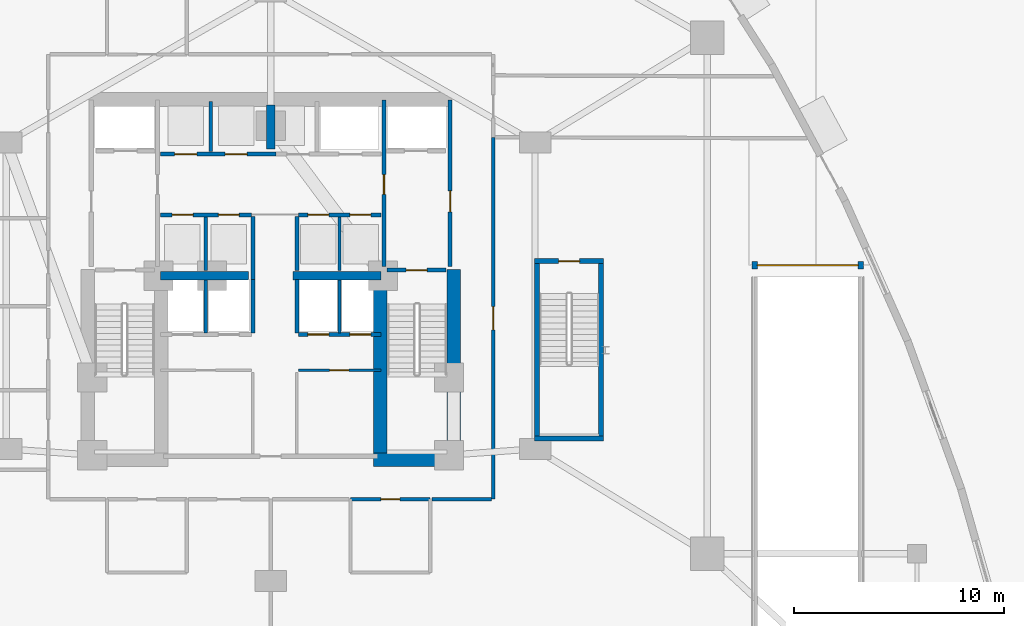
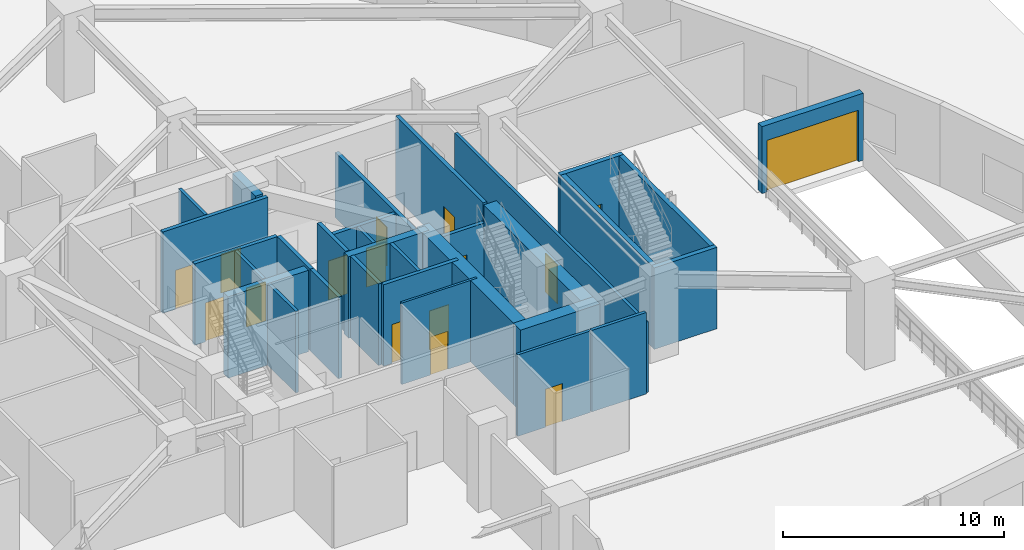
# One storey, part 24 of 32: 31 walls, 16 doors, 16 openings.
"""IFC4 building model written with IfcOpenShell, lengths in metres."""

from ifc_helpers import new_model, si_unit, direction, frame, frame_2d, origin, place, context, subcontext, project, spatial, rectangle, extrude, material, layer, layer_set, type_object, element, fill, save


model = new_model("IFC4")

# Units and contexts
model_context = context("Model", 3, precision=1e-05, world=origin(), true_north=direction((0.0, 1.0)))
body_context = subcontext(model_context, "Body", "Model", "MODEL_VIEW")
ifc_project = project(units=[si_unit("LENGTHUNIT", "METRE"), si_unit("AREAUNIT", "SQUARE_METRE"), si_unit("VOLUMEUNIT", "CUBIC_METRE"), si_unit("PLANEANGLEUNIT", "RADIAN"), si_unit("MASSUNIT", "GRAM", prefix="KILO")], contexts=[model_context])

# Site, building, storey
site_placement = place(None, origin())
site = spatial("IfcSite", under=ifc_project, at=site_placement, CompositionType="ELEMENT")
building_placement = place(site_placement, origin())
building = spatial("IfcBuilding", under=site, at=building_placement, Name="Miruveldt Soraemaru", CompositionType="ELEMENT")
storey_placement = place(building_placement, origin())
storey = spatial("IfcBuildingStorey", under=building, at=storey_placement, Name="L01", CompositionType="ELEMENT", Elevation=0.0)

# Walls
ifc_material_1 = material(Name="Concrete C70/85 (70 MPa)", Category="concrete")
ifc_layer_1 = layer(ifc_material_1, 0.5, Name="Concrete C70/85 (70 MPa)", Category="concrete")
ifc_layer_set_1 = layer_set([ifc_layer_1], Name="Concrete C70/85 (70 MPa)")
wall_type_1 = type_object("IfcWallType", Name="WALL-BW-500", PredefinedType="SHEAR", material=ifc_layer_set_1)
wall_1_placement = place(storey_placement, frame((44.0, 50.10009765625, 0.0), z_axis=(0.0, 0.0, 1.0), x_axis=(0.0, 1.0, 0.0)))
element("IfcWall", 1, at=wall_1_placement, inside=storey, type_object=wall_type_1, Name="L01 Core Buttress Shear Wall BN", PredefinedType="SHEAR", context=body_context, shape_type="SweptSolid", body=[
    extrude(rectangle(XDim=2.099853515625, YDim=0.39990234375, at=frame_2d((1.0498046875, 0.0))), origin(), (0.0, 0.0, 1.0), 4.5),
])
for number, where, z_axis, x_axis, name in (
    (2, (38.75, 44.050048828125, 0.0), (0.0, 0.0, 1.0), (1.0, 0.0, 0.0), "L01 Core Buttress Shear Wall BW"),
    (3, (45.050048828125, 44.050048828125, 0.0), (0.0, 0.0, 1.0), (1.0, 0.0, 0.0), "L01 Core Buttress Shear Wall BE"),
):
    element("IfcWall", number, at=place(storey_placement, frame(where, z_axis=z_axis, x_axis=x_axis)), inside=storey, type_object=wall_type_1, Name=name, PredefinedType="SHEAR", context=body_context, shape_type="SweptSolid", body=[
        extrude(rectangle(XDim=4.199951171875, YDim=0.39990234375, at=frame_2d((2.10009765625, 0.0))), origin(), (0.0, 0.0, 1.0), 4.5),
    ])

# Wall, opening, door
ifc_material_2 = material(Name="Concrete C50/60 (50 MPa)", Category="concrete")
ifc_layer_2 = layer(ifc_material_2, 0.419921875, Name="Concrete C50/60 (50 MPa)", Category="concrete")
ifc_layer_set_2 = layer_set([ifc_layer_2], Name="Concrete C50/60 (50 MPa)")
wall_type_2 = type_object("IfcWallType", Name="WALL-CW-420", PredefinedType="SHEAR", material=ifc_layer_set_2)
wall_2_placement = place(storey_placement, frame((56.580078125, 44.75, 0.0), z_axis=(0.0, 0.0, 1.0), x_axis=(1.0, 0.0, 0.0)))
wall_2 = element("IfcWall", 4, at=wall_2_placement, inside=storey, type_object=wall_type_2, Name="L01 Podium Garden Feature Stair ST-4 Structural Shaft Wall N", PredefinedType="SHEAR", context=body_context, shape_type="SweptSolid", body=[
    extrude(rectangle(XDim=3.2900390625, YDim=0.239990234375, at=frame_2d((1.64501953125, 0.0))), origin(), (0.0, 0.0, 1.0), 4.5),
])
opening_1_placement = place(wall_2_placement, frame((1.14501953125, 0.0, 0.0)))
opening_1 = element("IfcOpeningElement", 5, at=opening_1_placement, cuts=wall_2, Name="Opening FD1", PredefinedType="OPENING", context=body_context, shape_type="SweptSolid", body=[
    extrude(rectangle(XDim=1.0, YDim=2.14990234375, at=frame_2d((0.5, 1.074951171875))), frame((0.0, 0.1298828125, 0.0), z_axis=(0.0, -1.0, 0.0), x_axis=(1.0, 0.0, 0.0)), (0.0, 0.0, 1.0), 0.260009765625),
])
ifc_material_3 = material(Name="Anodised aluminium EN AW-6063 T6", Category="aluminium")
door_type_1 = type_object("IfcDoorType", Name="DOOR-FD1-1000", OperationType="NOTDEFINED", PredefinedType="DOOR", material=ifc_material_3)
door_1_placement = place(opening_1_placement, frame((1.0, 0.0, 0.0), z_axis=(0.0, 0.0, 1.0), x_axis=(-1.0, 0.0, 0.0)))
door_1 = element("IfcDoor", 6, at=door_1_placement, inside=storey, type_object=door_type_1, Name="L01 Podium Garden Feature Stair ST-4 Fire Door", OperationType="SINGLE_SWING_LEFT", OverallHeight=2.14990234375, OverallWidth=1.0, PredefinedType="DOOR", context=body_context, shape_type="SweptSolid", body=[
    extrude(rectangle(XDim=1.0, YDim=2.14990234375, at=frame_2d((0.5, 1.074951171875))), frame((0.0, 0.02490234375, 0.0), z_axis=(0.0, -1.0, 0.0), x_axis=(1.0, 0.0, 0.0)), (0.0, 0.0, 1.0), 0.050048828125),
])
fill(opening_1, door_1)

# Walls
for number, where, z_axis, x_axis, name in (
    (7, (56.699951171875, 36.35009765625, 0.0), (0.0, 0.0, 1.0), (0.0, 1.0, 0.0), "L01 Podium Garden Feature Stair ST-4 Structural Shaft Wall W"),
    (8, (59.75, 36.35009765625, 0.0), (0.0, 0.0, 1.0), (0.0, 1.0, 0.0), "L01 Podium Garden Feature Stair ST-4 Structural Shaft Wall E"),
):
    element("IfcWall", number, at=place(storey_placement, frame(where, z_axis=z_axis, x_axis=x_axis)), inside=storey, type_object=wall_type_2, Name=name, PredefinedType="SHEAR", context=body_context, shape_type="SweptSolid", body=[
        extrude(rectangle(XDim=8.349853515625, YDim=0.239990234375, at=frame_2d((4.1748046875, 0.0))), origin(), (0.0, 0.0, 1.0), 4.5),
    ])
wall_3_placement = place(storey_placement, frame((56.580078125, 36.300048828125, 0.0), z_axis=(0.0, 0.0, 1.0), x_axis=(1.0, 0.0, 0.0)))
element("IfcWall", 9, at=wall_3_placement, inside=storey, type_object=wall_type_2, Name="L01 Podium Garden Feature Stair ST-4 Structural Shaft Wall S", PredefinedType="SHEAR", context=body_context, shape_type="SweptSolid", body=[
    extrude(rectangle(XDim=3.2900390625, YDim=0.239990234375, at=frame_2d((1.64501953125, 0.0))), origin(), (0.0, 0.0, 1.0), 4.5),
])
ifc_material_4 = material(Name="Concrete C80/95 (80 MPa)", Category="concrete")
ifc_layer_3 = layer(ifc_material_4, 0.64990234375, Name="Concrete C80/95 (80 MPa)", Category="concrete")
ifc_layer_set_3 = layer_set([ifc_layer_3], Name="Concrete C80/95 (80 MPa)")
wall_type_3 = type_object("IfcWallType", Name="WALL-CW-650", PredefinedType="SHEAR", material=ifc_layer_set_3)
wall_4_placement = place(storey_placement, frame((48.89990234375, 35.27490234375, 0.0), z_axis=(0.0, 0.0, 1.0), x_axis=(1.0, 0.0, 0.0)))
element("IfcWall", 10, at=wall_4_placement, inside=storey, type_object=wall_type_3, Name="L01 Central Core Shear Wall S2", PredefinedType="SHEAR", context=body_context, shape_type="SweptSolid", body=[
    extrude(rectangle(XDim=4.150146484375, YDim=0.64990234375, at=frame_2d((2.0751953125, 0.0))), origin(), (0.0, 0.0, 1.0), 4.5),
])
wall_5_placement = place(storey_placement, frame((52.72509765625, 34.949951171875, 0.0), z_axis=(0.0, 0.0, 1.0), x_axis=(0.0, 1.0, 0.0)))
element("IfcWall", 11, at=wall_5_placement, inside=storey, type_object=wall_type_3, Name="L01 Central Core Shear Wall E1", PredefinedType="SHEAR", context=body_context, shape_type="SweptSolid", body=[
    extrude(rectangle(XDim=9.400146484375, YDim=0.64990234375, at=frame_2d((4.7001953125, 0.0))), origin(), (0.0, 0.0, 1.0), 4.5),
])
wall_6_placement = place(storey_placement, frame((49.22509765625, 35.39990234375, 0.0), z_axis=(0.0, 0.0, 1.0), x_axis=(0.0, 1.0, 0.0)))
element("IfcWall", 12, at=wall_6_placement, inside=storey, type_object=wall_type_3, Name="L01 Central Core Shear Wall SE-INT", PredefinedType="SHEAR", context=body_context, shape_type="SweptSolid", body=[
    extrude(rectangle(XDim=8.9501953125, YDim=0.64990234375, at=frame_2d((4.47509765625, 0.0))), origin(), (0.0, 0.0, 1.0), 4.5),
])

# Wall, opening, door
ifc_material_5 = material(Name="Precast concrete C45/55 (45 MPa)", Category="concrete")
ifc_layer_4 = layer(ifc_material_5, 0.340087890625, Name="Precast concrete C45/55 (45 MPa)", Category="concrete")
ifc_layer_set_4 = layer_set([ifc_layer_4], Name="Precast concrete C45/55 (45 MPa)")
wall_type_4 = type_object("IfcWallType", Name="WALL-EXT-PC340", PredefinedType="SOLIDWALL", material=ifc_layer_set_4)
wall_7_placement = place(storey_placement, frame((66.949951171875, 44.550048828125, 0.0), z_axis=(0.0, 0.0, 1.0), x_axis=(1.0, 0.0, 0.0)))
wall_7 = element("IfcWall", 13, at=wall_7_placement, inside=storey, type_object=wall_type_4, Name="L01 Car Park Exterior Ramp Portal Wall", PredefinedType="SOLIDWALL", context=body_context, shape_type="SweptSolid", body=[
    extrude(rectangle(XDim=5.300048828125, YDim=0.340087890625, at=frame_2d((2.64990234375, 0.0))), origin(), (0.0, 0.0, 1.0), 3.699951171875),
])
opening_2_placement = place(wall_7_placement, frame((0.25, 0.0, 0.0)))
opening_2 = element("IfcOpeningElement", 14, at=opening_2_placement, cuts=wall_7, Name="Opening VG-1", PredefinedType="OPENING", context=body_context, shape_type="SweptSolid", body=[
    extrude(rectangle(XDim=4.800048828125, YDim=2.85009765625, at=frame_2d((2.39990234375, 1.425048828125))), frame((0.0, 0.18017578125, 0.0), z_axis=(0.0, -1.0, 0.0), x_axis=(1.0, 0.0, 0.0)), (0.0, 0.0, 1.0), 0.360107421875),
])
door_type_2 = type_object("IfcDoorType", Name="DOOR-GATE-5200", OperationType="ROLLINGUP", PredefinedType="GATE", material=ifc_material_3)
door_2_placement = place(opening_2_placement, origin())
door_2 = element("IfcDoor", 15, at=door_2_placement, inside=storey, type_object=door_type_2, Name="L01 Vehicle Ramp Exterior Shutter Gate", OperationType="ROLLINGUP", OverallHeight=2.85009765625, OverallWidth=4.800048828125, PredefinedType="GATE", context=body_context, shape_type="SweptSolid", body=[
    extrude(rectangle(XDim=4.800048828125, YDim=2.85009765625, at=frame_2d((2.39990234375, 1.425048828125))), frame((0.0, 0.02490234375, 0.0), z_axis=(0.0, -1.0, 0.0), x_axis=(1.0, 0.0, 0.0)), (0.0, 0.0, 1.0), 0.050048828125),
])
fill(opening_2, door_2)

ifc_material_6 = material(Name="Gypsum plasterboard lining", Category="gypsum")
ifc_layer_5 = layer(ifc_material_6, 0.1201171875, Name="Gypsum plasterboard lining", Category="gypsum")
ifc_layer_set_5 = layer_set([ifc_layer_5], Name="Gypsum plasterboard lining")
wall_type_5 = type_object("IfcWallType", Name="WALL-INT-P120", PredefinedType="PARTITIONING", material=ifc_layer_set_5)
wall_8_placement = place(storey_placement, frame((45.320068359375, 39.550048828125, 0.0), z_axis=(0.0, 0.0, 1.0), x_axis=(1.0, 0.0, 0.0)))
wall_8 = element("IfcWall", 16, at=wall_8_placement, inside=storey, type_object=wall_type_5, Name="L01 Core Compartment Wall CSE-N", PredefinedType="PARTITIONING", context=body_context, shape_type="SweptSolid", body=[
    extrude(rectangle(XDim=3.929931640625, YDim=0.1201171875, at=frame_2d((1.96484375, 0.0))), origin(), (0.0, 0.0, 1.0), 4.5),
])
opening_3_placement = place(wall_8_placement, frame((1.489990234375, 0.0, 0.0)))
opening_3 = element("IfcOpeningElement", 17, at=opening_3_placement, cuts=wall_8, Name="Opening D3A", PredefinedType="OPENING", context=body_context, shape_type="SweptSolid", body=[
    extrude(rectangle(XDim=0.919921875, YDim=2.10009765625, at=frame_2d((0.4599609375, 1.050048828125))), frame((0.0, 0.070068359375, 0.0), z_axis=(0.0, -1.0, 0.0), x_axis=(1.0, 0.0, 0.0)), (0.0, 0.0, 1.0), 0.14013671875),
])
door_type_3 = type_object("IfcDoorType", Name="DOOR-INT-920", OperationType="NOTDEFINED", PredefinedType="DOOR", material=ifc_material_3)
door_3_placement = place(opening_3_placement, origin())
door_3 = element("IfcDoor", 18, at=door_3_placement, inside=storey, type_object=door_type_3, Name="L01 Fire Door", OperationType="SINGLE_SWING_LEFT", OverallHeight=2.10009765625, OverallWidth=0.919921875, PredefinedType="DOOR", context=body_context, shape_type="SweptSolid", body=[
    extrude(rectangle(XDim=0.919921875, YDim=2.10009765625, at=frame_2d((0.4599609375, 1.050048828125))), frame((0.0, 0.02490234375, 0.0), z_axis=(0.0, -1.0, 0.0), x_axis=(1.0, 0.0, 0.0)), (0.0, 0.0, 1.0), 0.050048828125),
])
fill(opening_3, door_3)

ifc_layer_6 = layer(ifc_material_6, 0.14990234375, Name="Gypsum plasterboard lining", Category="gypsum")
ifc_layer_set_6 = layer_set([ifc_layer_6], Name="Gypsum plasterboard lining")
wall_type_6 = type_object("IfcWallType", Name="WALL-INT-PLUMB", PredefinedType="PLUMBINGWALL", material=ifc_layer_set_6)
wall_9_placement = place(storey_placement, frame((47.800048828125, 33.39990234375, 0.0), z_axis=(0.0, 0.0, 1.0), x_axis=(1.0, 0.0, 0.0)))
wall_9 = element("IfcWall", 19, at=wall_9_placement, inside=storey, type_object=wall_type_6, Name="L01 Partition Wall 5", PredefinedType="PLUMBINGWALL", context=body_context, shape_type="SweptSolid", body=[
    extrude(rectangle(XDim=3.800048828125, YDim=0.14990234375, at=frame_2d((1.89990234375, 0.0))), origin(), (0.0, 0.0, 1.0), 4.5),
])
opening_4_placement = place(wall_9_placement, frame((1.449951171875, 0.0, 0.0)))
opening_4 = element("IfcOpeningElement", 20, at=opening_4_placement, cuts=wall_9, Name="Opening D3", PredefinedType="OPENING", context=body_context, shape_type="SweptSolid", body=[
    extrude(rectangle(XDim=0.89990234375, YDim=2.10009765625, at=frame_2d((0.449951171875, 1.050048828125))), frame((0.0, 0.0849609375, 0.0), z_axis=(0.0, -1.0, 0.0), x_axis=(1.0, 0.0, 0.0)), (0.0, 0.0, 1.0), 0.169921875),
])
door_type_4 = type_object("IfcDoorType", Name="DOOR-INT-900", OperationType="NOTDEFINED", PredefinedType="DOOR", material=ifc_material_3)
door_4_placement = place(opening_4_placement, origin())
door_4 = element("IfcDoor", 21, at=door_4_placement, inside=storey, type_object=door_type_4, Name="L01 Accessible WC Door", OperationType="SINGLE_SWING_LEFT", OverallHeight=2.10009765625, OverallWidth=0.89990234375, PredefinedType="DOOR", context=body_context, shape_type="SweptSolid", body=[
    extrude(rectangle(XDim=0.89990234375, YDim=2.10009765625, at=frame_2d((0.449951171875, 1.050048828125))), frame((0.0, 0.02490234375, 0.0), z_axis=(0.0, -1.0, 0.0), x_axis=(1.0, 0.0, 0.0)), (0.0, 0.0, 1.0), 0.050048828125),
])
fill(opening_4, door_4)

ifc_material_7 = material(Name="Concrete C40/50 (40 MPa)", Category="concrete")
ifc_layer_7 = layer(ifc_material_7, 0.159912109375, Name="Concrete C40/50 (40 MPa)", Category="concrete")
ifc_layer_set_7 = layer_set([ifc_layer_7], Name="Concrete C40/50 (40 MPa)")
wall_type_7 = type_object("IfcWallType", Name="WALL-INT-RC160", PredefinedType="SOLIDWALL", material=ifc_layer_set_7)
wall_10_placement = place(storey_placement, frame((54.60009765625, 33.39990234375, 0.0), z_axis=(0.0, 0.0, 1.0), x_axis=(0.0, 1.0, 0.0)))
wall_10 = element("IfcWall", 22, at=wall_10_placement, inside=storey, type_object=wall_type_7, Name="L01 Partition Wall 13", PredefinedType="SOLIDWALL", context=body_context, shape_type="SweptSolid", body=[
    extrude(rectangle(XDim=17.25, YDim=0.159912109375, at=frame_2d((8.625, 0.0))), origin(), (0.0, 0.0, 1.0), 3.89990234375),
])
opening_5_placement = place(wall_10_placement, frame((8.074951171875, 0.0, 0.0)))
opening_5 = element("IfcOpeningElement", 23, at=opening_5_placement, cuts=wall_10, Name="Opening FD1A", PredefinedType="OPENING", context=body_context, shape_type="SweptSolid", body=[
    extrude(rectangle(XDim=1.10009765625, YDim=2.14990234375, at=frame_2d((0.550048828125, 1.074951171875))), frame((0.0, 0.08984375, 0.0), z_axis=(0.0, -1.0, 0.0), x_axis=(1.0, 0.0, 0.0)), (0.0, 0.0, 1.0), 0.179931640625),
])
door_type_5 = type_object("IfcDoorType", Name="DOOR-FD1-1100", OperationType="NOTDEFINED", PredefinedType="DOOR", material=ifc_material_3)
door_5_placement = place(opening_5_placement, origin())
door_5 = element("IfcDoor", 24, at=door_5_placement, inside=storey, type_object=door_type_5, Name="L01 Observatory Shuttle Ticket Hall Entrance Door", OperationType="SINGLE_SWING_LEFT", OverallHeight=2.14990234375, OverallWidth=1.10009765625, PredefinedType="DOOR", context=body_context, shape_type="SweptSolid", body=[
    extrude(rectangle(XDim=1.10009765625, YDim=2.14990234375, at=frame_2d((0.550048828125, 1.074951171875))), frame((0.0, 0.02490234375, 0.0), z_axis=(0.0, -1.0, 0.0), x_axis=(1.0, 0.0, 0.0)), (0.0, 0.0, 1.0), 0.050048828125),
])
fill(opening_5, door_5)

# Walls
wall_11_placement = place(storey_placement, frame((51.679931640625, 33.39990234375, 0.0), z_axis=(0.0, 0.0, 1.0), x_axis=(1.0, 0.0, 0.0)))
element("IfcWall", 25, at=wall_11_placement, inside=storey, type_object=wall_type_7, Name="L01 Partition Wall 12", PredefinedType="SOLIDWALL", context=body_context, shape_type="SweptSolid", body=[
    extrude(rectangle(XDim=2.840087890625, YDim=0.159912109375, at=frame_2d((1.419921875, 0.0))), origin(), (0.0, 0.0, 1.0), 4.5),
])
wall_12_placement = place(storey_placement, frame((40.89990234375, 44.300048828125, 0.0), z_axis=(0.0, 0.0, 1.0), x_axis=(0.0, 1.0, 0.0)))
element("IfcWall", 26, at=wall_12_placement, inside=storey, type_object=wall_type_7, Name="L01 Core Compartment Wall PLM-DW", PredefinedType="SOLIDWALL", context=body_context, shape_type="SweptSolid", body=[
    extrude(rectangle(XDim=2.550048828125, YDim=0.159912109375, at=frame_2d((1.27490234375, 0.0))), origin(), (0.0, 0.0, 1.0), 4.5),
])
wall_13_placement = place(storey_placement, frame((47.280029296875, 44.300048828125, 0.0), z_axis=(0.0, 0.0, 1.0), x_axis=(0.0, 1.0, 0.0)))
element("IfcWall", 27, at=wall_13_placement, inside=storey, type_object=wall_type_7, Name="L01 Core Compartment Wall PLM-DE", PredefinedType="SOLIDWALL", context=body_context, shape_type="SweptSolid", body=[
    extrude(rectangle(XDim=2.550048828125, YDim=0.159912109375, at=frame_2d((1.27490234375, 0.0))), origin(), (0.0, 0.0, 1.0), 3.587890625),
])
for number, where, z_axis, x_axis, name in (
    (28, (40.89990234375, 41.320068359375, 0.0), (0.0, 0.0, 1.0), (0.0, 1.0, 0.0), "L01 Core Compartment Wall PLL-DW"),
    (29, (47.280029296875, 41.320068359375, 0.0), (0.0, 0.0, 1.0), (0.0, 1.0, 0.0), "L01 Core Compartment Wall PLL-DE"),
):
    element("IfcWall", number, at=place(storey_placement, frame(where, z_axis=z_axis, x_axis=x_axis)), inside=storey, type_object=wall_type_7, Name=name, PredefinedType="SOLIDWALL", context=body_context, shape_type="SweptSolid", body=[
        extrude(rectangle(XDim=2.530029296875, YDim=0.159912109375, at=frame_2d((1.26513671875, 0.0))), origin(), (0.0, 0.0, 1.0), 4.5),
    ])
wall_14_placement = place(storey_placement, frame((41.14990234375, 49.97998046875, 0.0), z_axis=(0.0, 0.0, 1.0), x_axis=(0.0, 1.0, 0.0)))
element("IfcWall", 30, at=wall_14_placement, inside=storey, type_object=wall_type_7, Name="L01 Core Compartment Wall PLH-DIV1", PredefinedType="SOLIDWALL", context=body_context, shape_type="SweptSolid", body=[
    extrude(rectangle(XDim=2.3701171875, YDim=0.159912109375, at=frame_2d((1.18505859375, 0.0))), origin(), (0.0, 0.0, 1.0), 4.5),
])

# Wall, opening, door
ifc_layer_8 = layer(ifc_material_7, 0.199951171875, Name="Concrete C40/50 (40 MPa)", Category="concrete")
ifc_layer_set_8 = layer_set([ifc_layer_8], Name="Concrete C40/50 (40 MPa)")
wall_type_8 = type_object("IfcWallType", Name="WALL-INT-RC200", PredefinedType="SOLIDWALL", material=ifc_layer_set_8)
wall_15_placement = place(storey_placement, frame((52.550048828125, 44.5, 0.0), z_axis=(0.0, 0.0, 1.0), x_axis=(0.0, 1.0, 0.0)))
wall_15 = element("IfcWall", 31, at=wall_15_placement, inside=storey, type_object=wall_type_8, Name="L01 Core Compartment Wall FFE-OUT", PredefinedType="SOLIDWALL", context=body_context, shape_type="SweptSolid", body=[
    extrude(rectangle(XDim=7.919921875, YDim=0.199951171875, at=frame_2d((3.9599609375, 0.0))), origin(), (0.0, 0.0, 1.0), 4.5),
])
opening_6_placement = place(wall_15_placement, frame((2.60009765625, 0.0, 0.0)))
opening_6 = element("IfcOpeningElement", 32, at=opening_6_placement, cuts=wall_15, Name="Opening FD1", PredefinedType="OPENING", context=body_context, shape_type="SweptSolid", body=[
    extrude(rectangle(XDim=1.0, YDim=2.14990234375, at=frame_2d((0.5, 1.074951171875))), frame((0.0, 0.10986328125, 0.0), z_axis=(0.0, -1.0, 0.0), x_axis=(1.0, 0.0, 0.0)), (0.0, 0.0, 1.0), 0.219970703125),
])
door_6_placement = place(opening_6_placement, frame((1.0, 0.0, 0.0), z_axis=(0.0, 0.0, 1.0), x_axis=(-1.0, 0.0, 0.0)))
door_6 = element("IfcDoor", 33, at=door_6_placement, inside=storey, type_object=door_type_1, Name="L01 East Firefighting Lobby Exit Door", OperationType="SINGLE_SWING_RIGHT", OverallHeight=2.14990234375, OverallWidth=1.0, PredefinedType="DOOR", context=body_context, shape_type="SweptSolid", body=[
    extrude(rectangle(XDim=1.0, YDim=2.14990234375, at=frame_2d((0.5, 1.074951171875))), frame((0.0, 0.02490234375, 0.0), z_axis=(0.0, -1.0, 0.0), x_axis=(1.0, 0.0, 0.0)), (0.0, 0.0, 1.0), 0.050048828125),
])
fill(opening_6, door_6)

wall_16_placement = place(storey_placement, frame((49.39990234375, 44.5, 0.0), z_axis=(0.0, 0.0, 1.0), x_axis=(0.0, 1.0, 0.0)))
wall_16 = element("IfcWall", 34, at=wall_16_placement, inside=storey, type_object=wall_type_8, Name="L01 Core Compartment Wall FFE-IN", PredefinedType="SOLIDWALL", context=body_context, shape_type="SweptSolid", body=[
    extrude(rectangle(XDim=7.919921875, YDim=0.199951171875, at=frame_2d((3.9599609375, 0.0))), origin(), (0.0, 0.0, 1.0), 3.587890625),
])
opening_7_placement = place(wall_16_placement, frame((3.425048828125, 0.0, 0.0)))
opening_7 = element("IfcOpeningElement", 35, at=opening_7_placement, cuts=wall_16, Name="Opening FD2", PredefinedType="OPENING", context=body_context, shape_type="SweptSolid", body=[
    extrude(rectangle(XDim=0.949951171875, YDim=2.14990234375, at=frame_2d((0.47509765625, 1.074951171875))), frame((0.0, 0.10986328125, 0.0), z_axis=(0.0, -1.0, 0.0), x_axis=(1.0, 0.0, 0.0)), (0.0, 0.0, 1.0), 0.219970703125),
])
door_type_6 = type_object("IfcDoorType", Name="DOOR-FD2-950", OperationType="NOTDEFINED", PredefinedType="DOOR", material=ifc_material_3)
door_7_placement = place(opening_7_placement, origin())
door_7 = element("IfcDoor", 36, at=door_7_placement, inside=storey, type_object=door_type_6, Name="L01 Lift Lobby to East Fire Lobby Door", OperationType="SINGLE_SWING_LEFT", OverallHeight=2.14990234375, OverallWidth=0.949951171875, PredefinedType="DOOR", context=body_context, shape_type="SweptSolid", body=[
    extrude(rectangle(XDim=0.949951171875, YDim=2.14990234375, at=frame_2d((0.47509765625, 1.074951171875))), frame((0.0, 0.02490234375, 0.0), z_axis=(0.0, -1.0, 0.0), x_axis=(1.0, 0.0, 0.0)), (0.0, 0.0, 1.0), 0.050048828125),
])
fill(opening_7, door_7)

# Wall, openings, doors
wall_17_placement = place(storey_placement, frame((38.75, 49.85009765625, 0.0), z_axis=(0.0, 0.0, 1.0), x_axis=(1.0, 0.0, 0.0)))
wall_17 = element("IfcWall", 37, at=wall_17_placement, inside=storey, type_object=wall_type_8, Name="L01 Core Compartment Wall ROWA-SW", PredefinedType="SOLIDWALL", context=body_context, shape_type="SweptSolid", body=[
    extrude(rectangle(XDim=5.5, YDim=0.199951171875, at=frame_2d((2.75, 0.0))), origin(), (0.0, 0.0, 1.0), 4.5),
])
opening_8_placement = place(wall_17_placement, frame((0.675048828125, 0.0, 0.0)))
opening_8 = element("IfcOpeningElement", 38, at=opening_8_placement, cuts=wall_17, Name="Opening LD1", PredefinedType="OPENING", context=body_context, shape_type="SweptSolid", body=[
    extrude(rectangle(XDim=1.050048828125, YDim=2.14990234375, at=frame_2d((0.52490234375, 1.074951171875))), frame((0.0, 0.10986328125, 0.0), z_axis=(0.0, -1.0, 0.0), x_axis=(1.0, 0.0, 0.0)), (0.0, 0.0, 1.0), 0.219970703125),
])
opening_9_placement = place(wall_17_placement, frame((3.074951171875, 0.0, 0.0)))
opening_9 = element("IfcOpeningElement", 39, at=opening_9_placement, cuts=wall_17, Name="Opening LD1", PredefinedType="OPENING", context=body_context, shape_type="SweptSolid", body=[
    extrude(rectangle(XDim=1.050048828125, YDim=2.14990234375, at=frame_2d((0.52490234375, 1.074951171875))), frame((0.0, 0.10986328125, 0.0), z_axis=(0.0, -1.0, 0.0), x_axis=(1.0, 0.0, 0.0)), (0.0, 0.0, 1.0), 0.219970703125),
])
door_type_7 = type_object("IfcDoorType", Name="DOOR-LD1-1050", OperationType="SLIDING_TO_LEFT", PredefinedType="DOOR", material=ifc_material_3)
door_8_placement = place(opening_8_placement, origin())
door_8 = element("IfcDoor", 40, at=door_8_placement, inside=storey, type_object=door_type_7, Name="L01 PL-H1 Landing Door", OperationType="SLIDING_TO_LEFT", OverallHeight=2.14990234375, OverallWidth=1.050048828125, PredefinedType="DOOR", context=body_context, shape_type="SweptSolid", body=[
    extrude(rectangle(XDim=1.050048828125, YDim=2.14990234375, at=frame_2d((0.52490234375, 1.074951171875))), frame((0.0, 0.02490234375, 0.0), z_axis=(0.0, -1.0, 0.0), x_axis=(1.0, 0.0, 0.0)), (0.0, 0.0, 1.0), 0.050048828125),
])
fill(opening_8, door_8)
door_9_placement = place(opening_9_placement, origin())
door_9 = element("IfcDoor", 41, at=door_9_placement, inside=storey, type_object=door_type_7, Name="L01 PL-H2 Landing Door", OperationType="SLIDING_TO_LEFT", OverallHeight=2.14990234375, OverallWidth=1.050048828125, PredefinedType="DOOR", context=body_context, shape_type="SweptSolid", body=[
    extrude(rectangle(XDim=1.050048828125, YDim=2.14990234375, at=frame_2d((0.52490234375, 1.074951171875))), frame((0.0, 0.02490234375, 0.0), z_axis=(0.0, -1.0, 0.0), x_axis=(1.0, 0.0, 0.0)), (0.0, 0.0, 1.0), 0.050048828125),
])
fill(opening_9, door_9)

wall_18_placement = place(storey_placement, frame((38.75, 46.949951171875, 0.0), z_axis=(0.0, 0.0, 1.0), x_axis=(1.0, 0.0, 0.0)))
wall_18 = element("IfcWall", 42, at=wall_18_placement, inside=storey, type_object=wall_type_8, Name="L01 Core Compartment Wall MBW-N", PredefinedType="SOLIDWALL", context=body_context, shape_type="SweptSolid", body=[
    extrude(rectangle(XDim=4.330078125, YDim=0.199951171875, at=frame_2d((2.1650390625, 0.0))), origin(), (0.0, 0.0, 1.0), 4.5),
])
opening_10_placement = place(wall_18_placement, frame((0.550048828125, 0.0, 0.0)))
opening_10 = element("IfcOpeningElement", 43, at=opening_10_placement, cuts=wall_18, Name="Opening LD1B", PredefinedType="OPENING", context=body_context, shape_type="SweptSolid", body=[
    extrude(rectangle(XDim=1.0, YDim=2.14990234375, at=frame_2d((0.5, 1.074951171875))), frame((0.0, 0.10986328125, 0.0), z_axis=(0.0, -1.0, 0.0), x_axis=(1.0, 0.0, 0.0)), (0.0, 0.0, 1.0), 0.219970703125),
])
opening_11_placement = place(wall_18_placement, frame((2.75, 0.0, 0.0)))
opening_11 = element("IfcOpeningElement", 44, at=opening_11_placement, cuts=wall_18, Name="Opening LD1B", PredefinedType="OPENING", context=body_context, shape_type="SweptSolid", body=[
    extrude(rectangle(XDim=1.0, YDim=2.14990234375, at=frame_2d((0.5, 1.074951171875))), frame((0.0, 0.10986328125, 0.0), z_axis=(0.0, -1.0, 0.0), x_axis=(1.0, 0.0, 0.0)), (0.0, 0.0, 1.0), 0.219970703125),
])
door_type_8 = type_object("IfcDoorType", Name="DOOR-LD1-1000", OperationType="SLIDING_TO_LEFT", PredefinedType="DOOR", material=ifc_material_3)
door_10_placement = place(opening_10_placement, origin())
door_10 = element("IfcDoor", 45, at=door_10_placement, inside=storey, type_object=door_type_8, Name="L01 PL-M1 Landing Door", OperationType="SLIDING_TO_LEFT", OverallHeight=2.14990234375, OverallWidth=1.0, PredefinedType="DOOR", context=body_context, shape_type="SweptSolid", body=[
    extrude(rectangle(XDim=1.0, YDim=2.14990234375, at=frame_2d((0.5, 1.074951171875))), frame((0.0, 0.02490234375, 0.0), z_axis=(0.0, -1.0, 0.0), x_axis=(1.0, 0.0, 0.0)), (0.0, 0.0, 1.0), 0.050048828125),
])
fill(opening_10, door_10)
door_11_placement = place(opening_11_placement, origin())
door_11 = element("IfcDoor", 46, at=door_11_placement, inside=storey, type_object=door_type_8, Name="L01 PL-M2 Landing Door", OperationType="SLIDING_TO_LEFT", OverallHeight=2.14990234375, OverallWidth=1.0, PredefinedType="DOOR", context=body_context, shape_type="SweptSolid", body=[
    extrude(rectangle(XDim=1.0, YDim=2.14990234375, at=frame_2d((0.5, 1.074951171875))), frame((0.0, 0.02490234375, 0.0), z_axis=(0.0, -1.0, 0.0), x_axis=(1.0, 0.0, 0.0)), (0.0, 0.0, 1.0), 0.050048828125),
])
fill(opening_11, door_11)

wall_19_placement = place(storey_placement, frame((45.320068359375, 46.949951171875, 0.0), z_axis=(0.0, 0.0, 1.0), x_axis=(1.0, 0.0, 0.0)))
wall_19 = element("IfcWall", 47, at=wall_19_placement, inside=storey, type_object=wall_type_8, Name="L01 Core Compartment Wall MBE-N", PredefinedType="SOLIDWALL", context=body_context, shape_type="SweptSolid", body=[
    extrude(rectangle(XDim=3.929931640625, YDim=0.199951171875, at=frame_2d((1.96484375, 0.0))), origin(), (0.0, 0.0, 1.0), 3.587890625),
])
opening_12_placement = place(wall_19_placement, frame((0.449951171875, 0.0, 0.0)))
opening_12 = element("IfcOpeningElement", 48, at=opening_12_placement, cuts=wall_19, Name="Opening LD1B", PredefinedType="OPENING", context=body_context, shape_type="SweptSolid", body=[
    extrude(rectangle(XDim=1.0, YDim=2.14990234375, at=frame_2d((0.5, 1.074951171875))), frame((0.0, 0.10986328125, 0.0), z_axis=(0.0, -1.0, 0.0), x_axis=(1.0, 0.0, 0.0)), (0.0, 0.0, 1.0), 0.219970703125),
])
opening_13_placement = place(wall_19_placement, frame((2.449951171875, 0.0, 0.0)))
opening_13 = element("IfcOpeningElement", 49, at=opening_13_placement, cuts=wall_19, Name="Opening LD1B", PredefinedType="OPENING", context=body_context, shape_type="SweptSolid", body=[
    extrude(rectangle(XDim=1.0, YDim=2.14990234375, at=frame_2d((0.5, 1.074951171875))), frame((0.0, 0.10986328125, 0.0), z_axis=(0.0, -1.0, 0.0), x_axis=(1.0, 0.0, 0.0)), (0.0, 0.0, 1.0), 0.219970703125),
])
door_12_placement = place(opening_12_placement, origin())
door_12 = element("IfcDoor", 50, at=door_12_placement, inside=storey, type_object=door_type_8, Name="L01 PL-M3 Landing Door", OperationType="SLIDING_TO_LEFT", OverallHeight=2.14990234375, OverallWidth=1.0, PredefinedType="DOOR", context=body_context, shape_type="SweptSolid", body=[
    extrude(rectangle(XDim=1.0, YDim=2.14990234375, at=frame_2d((0.5, 1.074951171875))), frame((0.0, 0.02490234375, 0.0), z_axis=(0.0, -1.0, 0.0), x_axis=(1.0, 0.0, 0.0)), (0.0, 0.0, 1.0), 0.050048828125),
])
fill(opening_12, door_12)
door_13_placement = place(opening_13_placement, origin())
door_13 = element("IfcDoor", 51, at=door_13_placement, inside=storey, type_object=door_type_8, Name="L01 PL-M4 Landing Door", OperationType="SLIDING_TO_LEFT", OverallHeight=2.14990234375, OverallWidth=1.0, PredefinedType="DOOR", context=body_context, shape_type="SweptSolid", body=[
    extrude(rectangle(XDim=1.0, YDim=2.14990234375, at=frame_2d((0.5, 1.074951171875))), frame((0.0, 0.02490234375, 0.0), z_axis=(0.0, -1.0, 0.0), x_axis=(1.0, 0.0, 0.0)), (0.0, 0.0, 1.0), 0.050048828125),
])
fill(opening_13, door_13)

wall_20_placement = place(storey_placement, frame((45.320068359375, 41.25, 0.0), z_axis=(0.0, 0.0, 1.0), x_axis=(1.0, 0.0, 0.0)))
wall_20 = element("IfcWall", 52, at=wall_20_placement, inside=storey, type_object=wall_type_8, Name="L01 Core Compartment Wall LBE-S", PredefinedType="SOLIDWALL", context=body_context, shape_type="SweptSolid", body=[
    extrude(rectangle(XDim=3.929931640625, YDim=0.199951171875, at=frame_2d((1.96484375, 0.0))), origin(), (0.0, 0.0, 1.0), 4.5),
])
opening_14_placement = place(wall_20_placement, frame((0.449951171875, 0.0, 0.0)))
opening_14 = element("IfcOpeningElement", 53, at=opening_14_placement, cuts=wall_20, Name="Opening LD1B", PredefinedType="OPENING", context=body_context, shape_type="SweptSolid", body=[
    extrude(rectangle(XDim=1.0, YDim=2.14990234375, at=frame_2d((0.5, 1.074951171875))), frame((0.0, 0.10986328125, 0.0), z_axis=(0.0, -1.0, 0.0), x_axis=(1.0, 0.0, 0.0)), (0.0, 0.0, 1.0), 0.219970703125),
])
opening_15_placement = place(wall_20_placement, frame((2.449951171875, 0.0, 0.0)))
opening_15 = element("IfcOpeningElement", 54, at=opening_15_placement, cuts=wall_20, Name="Opening LD1B", PredefinedType="OPENING", context=body_context, shape_type="SweptSolid", body=[
    extrude(rectangle(XDim=1.0, YDim=2.14990234375, at=frame_2d((0.5, 1.074951171875))), frame((0.0, 0.10986328125, 0.0), z_axis=(0.0, -1.0, 0.0), x_axis=(1.0, 0.0, 0.0)), (0.0, 0.0, 1.0), 0.219970703125),
])
door_14_placement = place(opening_14_placement, frame((1.0, 0.0, 0.0), z_axis=(0.0, 0.0, 1.0), x_axis=(-1.0, 0.0, 0.0)))
door_14 = element("IfcDoor", 55, at=door_14_placement, inside=storey, type_object=door_type_8, Name="L01 PL-L3 Landing Door", OperationType="SLIDING_TO_LEFT", OverallHeight=2.14990234375, OverallWidth=1.0, PredefinedType="DOOR", context=body_context, shape_type="SweptSolid", body=[
    extrude(rectangle(XDim=1.0, YDim=2.14990234375, at=frame_2d((0.5, 1.074951171875))), frame((0.0, 0.02490234375, 0.0), z_axis=(0.0, -1.0, 0.0), x_axis=(1.0, 0.0, 0.0)), (0.0, 0.0, 1.0), 0.050048828125),
])
fill(opening_14, door_14)
door_15_placement = place(opening_15_placement, frame((1.0, 0.0, 0.0), z_axis=(0.0, 0.0, 1.0), x_axis=(-1.0, 0.0, 0.0)))
door_15 = element("IfcDoor", 56, at=door_15_placement, inside=storey, type_object=door_type_8, Name="L01 PL-L4 Landing Door", OperationType="SLIDING_TO_LEFT", OverallHeight=2.14990234375, OverallWidth=1.0, PredefinedType="DOOR", context=body_context, shape_type="SweptSolid", body=[
    extrude(rectangle(XDim=1.0, YDim=2.14990234375, at=frame_2d((0.5, 1.074951171875))), frame((0.0, 0.02490234375, 0.0), z_axis=(0.0, -1.0, 0.0), x_axis=(1.0, 0.0, 0.0)), (0.0, 0.0, 1.0), 0.050048828125),
])
fill(opening_15, door_15)

# Wall, opening, door
wall_21_placement = place(storey_placement, frame((49.550048828125, 44.320068359375, 0.0), z_axis=(0.0, 0.0, 1.0), x_axis=(1.0, 0.0, 0.0)))
wall_21 = element("IfcWall", 57, at=wall_21_placement, inside=storey, type_object=wall_type_8, Name="L01 Core Compartment Wall ST2-N", PredefinedType="SOLIDWALL", context=body_context, shape_type="SweptSolid", body=[
    extrude(rectangle(XDim=2.800048828125, YDim=0.199951171875, at=frame_2d((1.39990234375, 0.0))), origin(), (0.0, 0.0, 1.0), 3.587890625),
])
opening_16_placement = place(wall_21_placement, frame((0.89990234375, 0.0, 0.0)))
opening_16 = element("IfcOpeningElement", 58, at=opening_16_placement, cuts=wall_21, Name="Opening FD1", PredefinedType="OPENING", context=body_context, shape_type="SweptSolid", body=[
    extrude(rectangle(XDim=1.0, YDim=2.14990234375, at=frame_2d((0.5, 1.074951171875))), frame((0.0, 0.10986328125, 0.0), z_axis=(0.0, -1.0, 0.0), x_axis=(1.0, 0.0, 0.0)), (0.0, 0.0, 1.0), 0.219970703125),
])
door_16_placement = place(opening_16_placement, frame((1.0, 0.0, 0.0), z_axis=(0.0, 0.0, 1.0), x_axis=(-1.0, 0.0, 0.0)))
door_16 = element("IfcDoor", 59, at=door_16_placement, inside=storey, type_object=door_type_1, Name="L01 Stair ST-2 Fire Door", OperationType="SINGLE_SWING_RIGHT", OverallHeight=2.14990234375, OverallWidth=1.0, PredefinedType="DOOR", context=body_context, shape_type="SweptSolid", body=[
    extrude(rectangle(XDim=1.0, YDim=2.14990234375, at=frame_2d((0.5, 1.074951171875))), frame((0.0, 0.02490234375, 0.0), z_axis=(0.0, -1.0, 0.0), x_axis=(1.0, 0.0, 0.0)), (0.0, 0.0, 1.0), 0.050048828125),
])
fill(opening_16, door_16)

# Walls
wall_22_placement = place(storey_placement, frame((43.14990234375, 43.8798828125, 0.0), z_axis=(0.0, 0.0, 1.0), x_axis=(0.0, 1.0, 0.0)))
element("IfcWall", 60, at=wall_22_placement, inside=storey, type_object=wall_type_8, Name="L01 Core Compartment Wall SP-WB", PredefinedType="SOLIDWALL", context=body_context, shape_type="SweptSolid", body=[
    extrude(rectangle(XDim=3.0, YDim=0.199951171875, at=frame_2d((1.5, 0.0))), origin(), (0.0, 0.0, 1.0), 4.5),
])
wall_23_placement = place(storey_placement, frame((45.25, 44.300048828125, 0.0), z_axis=(0.0, 0.0, 1.0), x_axis=(0.0, 1.0, 0.0)))
element("IfcWall", 61, at=wall_23_placement, inside=storey, type_object=wall_type_8, Name="L01 Core Compartment Wall SP-EB", PredefinedType="SOLIDWALL", context=body_context, shape_type="SweptSolid", body=[
    extrude(rectangle(XDim=2.579833984375, YDim=0.199951171875, at=frame_2d((1.2900390625, 0.0))), origin(), (0.0, 0.0, 1.0), 4.5),
])
for number, where, z_axis, x_axis, name in (
    (62, (43.14990234375, 41.320068359375, 0.0), (0.0, 0.0, 1.0), (0.0, 1.0, 0.0), "L01 Core Compartment Wall SP-WC"),
    (63, (45.25, 41.320068359375, 0.0), (0.0, 0.0, 1.0), (0.0, 1.0, 0.0), "L01 Core Compartment Wall SP-EC"),
):
    element("IfcWall", number, at=place(storey_placement, frame(where, z_axis=z_axis, x_axis=x_axis)), inside=storey, type_object=wall_type_8, Name=name, PredefinedType="SOLIDWALL", context=body_context, shape_type="SweptSolid", body=[
        extrude(rectangle(XDim=2.559814453125, YDim=0.199951171875, at=frame_2d((1.27978515625, 0.0))), origin(), (0.0, 0.0, 1.0), 4.5),
    ])

save(model, "model.ifc")
